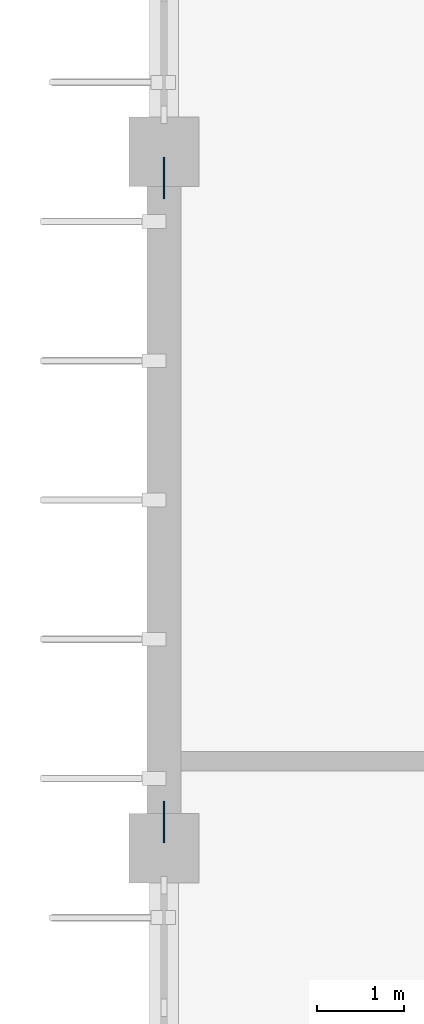
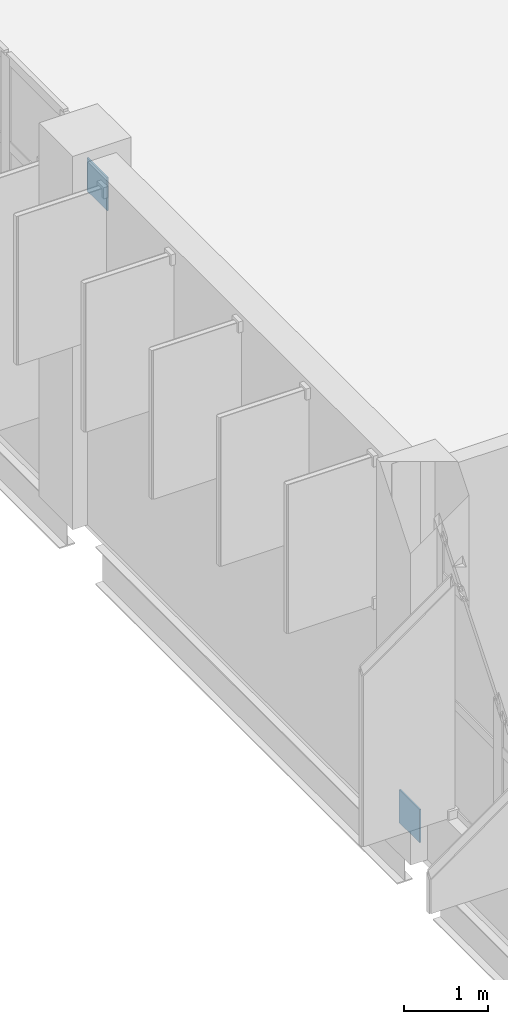
# One storey, part 65 of 103: 2 plates.
"""IFC4 building model written with IfcOpenShell, lengths in metres."""

from ifc_helpers import new_model, si_unit, direction, frame, origin, origin_2d, place, context, subcontext, project, spatial, rectangle, extrude, material, layer, layer_set, type_object, element, save


model = new_model("IFC4")

# Units and contexts
model_context = context("Model", 3, precision=1e-05, world=origin(), true_north=direction((0.0, 1.0)))
body_context = subcontext(model_context, "Body", "Model", "MODEL_VIEW")
ifc_project = project(units=[si_unit("LENGTHUNIT", "METRE"), si_unit("AREAUNIT", "SQUARE_METRE"), si_unit("VOLUMEUNIT", "CUBIC_METRE"), si_unit("PLANEANGLEUNIT", "RADIAN"), si_unit("MASSUNIT", "GRAM", prefix="KILO")], contexts=[model_context])

# Site, building, storey
site_placement = place(None, origin())
site = spatial("IfcSite", under=ifc_project, at=site_placement, CompositionType="ELEMENT")
building_placement = place(site_placement, origin())
building = spatial("IfcBuilding", under=site, at=building_placement, Name="Drelvana Railside Aquatics Centre", CompositionType="ELEMENT")
storey_placement = place(building_placement, origin())
storey = spatial("IfcBuildingStorey", under=building, at=storey_placement, Name="L00", CompositionType="ELEMENT", Elevation=0.0)

# Plates
ifc_material = material(Name="Structural steel S355", Category="steel")
ifc_layer = layer(ifc_material, 0.02197265625, Name="Structural steel S355")
ifc_layer_set = layer_set([ifc_layer], Name="Structural steel S355")
plate_type = type_object("IfcPlateType", Name="STR-PLT-PL-04", PredefinedType="SHEET", material=ifc_layer_set)
for number, where, z_axis, x_axis, name in (
    (1, (0.0, 48.300048828125, -0.090087890625), (0.0, 0.0, 1.0), (1.0, 0.0, 0.0), "Brace gusset end plate PL-04 (L00)"),
    (2, (0.0, 55.699951171875, 4.56005859375), (0.0, 0.0, 1.0), (1.0, 0.0, 0.0), "Brace gusset end plate PL-04 (L00)"),
):
    element("IfcPlate", number, at=place(storey_placement, frame(where, z_axis=z_axis, x_axis=x_axis)), inside=storey, type_object=plate_type, Name=name, PredefinedType="SHEET", context=body_context, shape_type="SweptSolid", body=[
        extrude(rectangle(XDim=0.02197265625, YDim=0.47998046875, at=origin_2d()), origin(), (0.0, 0.0, 1.0), 0.47998046875),
    ])

save(model, "model.ifc")
